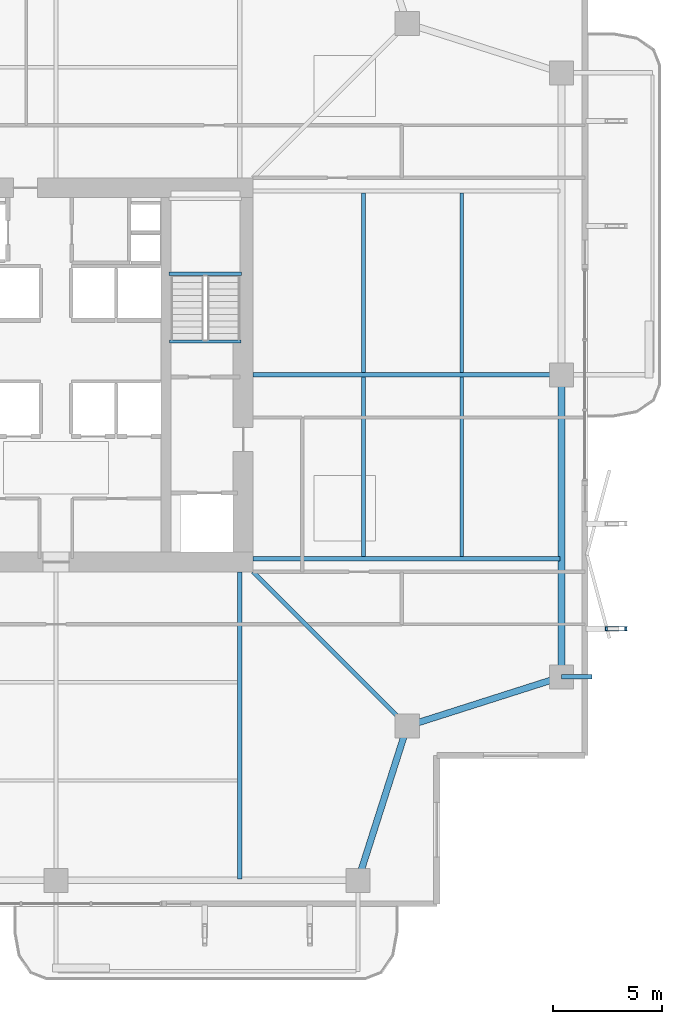
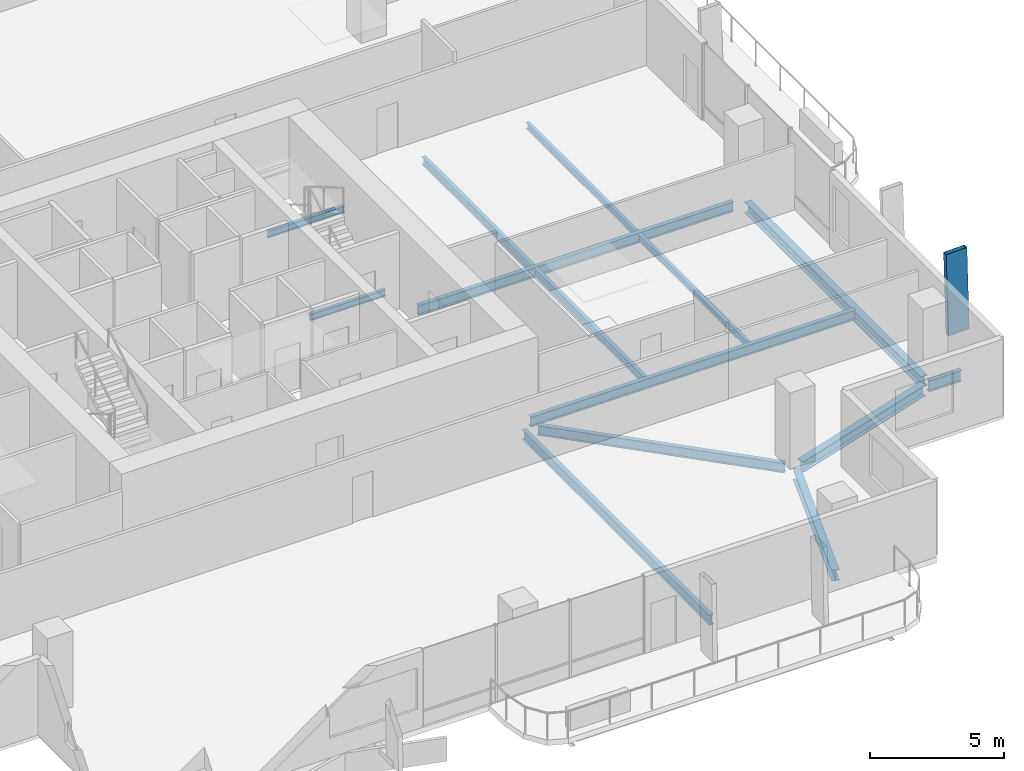
# One storey, part 9 of 23: 14 beams, 1 member.
"""IFC4 building model written with IfcOpenShell, lengths in metres."""

from ifc_helpers import new_model, si_unit, direction, frame, origin, origin_2d, place, context, subcontext, project, spatial, hollow_rectangle, i_section, extrude, material, material_profile, profile_set, type_object, element, save


model = new_model("IFC4")

# Units and contexts
model_context = context("Model", 3, precision=1e-05, world=origin(), true_north=direction((0.0, 1.0)))
body_context = subcontext(model_context, "Body", "Model", "MODEL_VIEW")
ifc_project = project(units=[si_unit("LENGTHUNIT", "METRE"), si_unit("AREAUNIT", "SQUARE_METRE"), si_unit("VOLUMEUNIT", "CUBIC_METRE"), si_unit("PLANEANGLEUNIT", "RADIAN"), si_unit("MASSUNIT", "GRAM", prefix="KILO")], contexts=[model_context])

# Site, building, storey
site_placement = place(None, origin())
site = spatial("IfcSite", under=ifc_project, at=site_placement, CompositionType="ELEMENT")
building_placement = place(site_placement, origin())
building = spatial("IfcBuilding", under=site, at=building_placement, Name="Belovzor Exchange Tower", CompositionType="ELEMENT")
storey_placement = place(building_placement, frame((0.0, 0.0, 157.050048828125)))
storey = spatial("IfcBuildingStorey", under=building, at=storey_placement, Name="L38", CompositionType="ELEMENT", Elevation=157.050048828125)

# Beams
ifc_material_1 = material(Name="Steel S355", Category="steel")
ifc_material_profile_1 = material_profile(ifc_material_1, i_section(OverallWidth=0.199951171875, OverallDepth=0.5, WebThickness=0.01025390625, FlangeThickness=0.01611328125, at=origin_2d()))
ifc_profile_set_1 = profile_set([ifc_material_profile_1], Name="Steel S355")
beam_type_1 = type_object("IfcBeamType", Name="Planted Balcony Cantilever Beam IPE 500", PredefinedType="BEAM", material=ifc_profile_set_1)
beam_1_placement = place(storey_placement, frame((51.89990234375, 15.0, -0.505126953125), z_axis=(1.0, 0.0, 0.0), x_axis=(0.0, 1.0, 0.0)))
element("IfcBeam", 1, at=beam_1_placement, inside=storey, type_object=beam_type_1, Name="BC-500 Planted Balcony Cantilever Beam IPE 500", PredefinedType="BEAM", context=body_context, shape_type="SweptSolid", body=[
    extrude(i_section(OverallWidth=0.199951171875, OverallDepth=0.5, WebThickness=0.01025390625, FlangeThickness=0.01611328125, at=origin_2d()), origin(), (0.0, 0.0, 1.0), 1.400146484375),
])
ifc_material_2 = material(Name="Steel S355", Category="steel")
ifc_material_profile_2 = material_profile(ifc_material_2, i_section(OverallWidth=0.169921875, OverallDepth=0.360107421875, WebThickness=0.008056640625, FlangeThickness=0.0126953125, at=origin_2d()))
ifc_profile_set_2 = profile_set([ifc_material_profile_2], Name="Steel S355")
beam_type_2 = type_object("IfcBeamType", Name="Secondary Infill Floor Joist IPE 360", PredefinedType="BEAM", material=ifc_profile_set_2)
for number, where, z_axis, x_axis, name in (
    (2, (42.84912109375, 20.4951171875, -0.43505859375), (0.0, 1.0, 0.0), (-1.0, 0.0, 0.0), "FJ-360 Secondary Infill Floor Joist IPE 360"),
    (3, (42.84912109375, 28.89501953125, -0.43505859375), (0.0, 1.0, 0.0), (-1.0, 0.0, 0.0), "FJ-360 Secondary Infill Floor Joist IPE 360"),
):
    element("IfcBeam", number, at=place(storey_placement, frame(where, z_axis=z_axis, x_axis=x_axis)), inside=storey, type_object=beam_type_2, Name=name, PredefinedType="BEAM", context=body_context, shape_type="SweptSolid", body=[
        extrude(i_section(OverallWidth=0.169921875, OverallDepth=0.360107421875, WebThickness=0.008056640625, FlangeThickness=0.0126953125, at=origin_2d()), origin(), (0.0, 0.0, 1.0), 8.2099609375),
    ])
ifc_material_3 = material(Name="Steel S355", Category="steel")
ifc_material_profile_3 = material_profile(ifc_material_3, i_section(OverallWidth=0.14990234375, OverallDepth=0.300048828125, WebThickness=0.007080078125, FlangeThickness=0.0107421875, at=origin_2d()))
ifc_profile_set_3 = profile_set([ifc_material_profile_3], Name="Steel S355")
beam_type_3 = type_object("IfcBeamType", Name="Secondary Trim Floor Joist IPE 300", PredefinedType="BEAM", material=ifc_profile_set_3)
beam_2_placement = place(storey_placement, frame((37.280029296875, 33.419921875, 1.52490234375), z_axis=(-1.0, 0.0, 0.0), x_axis=(0.0, -1.0, 0.0)))
element("IfcBeam", 4, at=beam_2_placement, inside=storey, type_object=beam_type_3, Name="FJ-300 Secondary Trim Floor Joist IPE 300", PredefinedType="BEAM", context=body_context, shape_type="SweptSolid", body=[
    extrude(i_section(OverallWidth=0.14990234375, OverallDepth=0.300048828125, WebThickness=0.007080078125, FlangeThickness=0.0107421875, at=origin_2d()), origin(), (0.0, 0.0, 1.0), 3.31005859375),
])
beam_3_placement = place(storey_placement, frame((37.260009765625, 30.320068359375, -0.405029296875), z_axis=(-1.0, 0.0, 0.0), x_axis=(0.0, -1.0, 0.0)))
element("IfcBeam", 5, at=beam_3_placement, inside=storey, type_object=beam_type_3, Name="FJ-300 Secondary Trim Floor Joist IPE 300", PredefinedType="BEAM", context=body_context, shape_type="SweptSolid", body=[
    extrude(i_section(OverallWidth=0.14990234375, OverallDepth=0.300048828125, WebThickness=0.007080078125, FlangeThickness=0.0107421875, at=origin_2d()), origin(), (0.0, 0.0, 1.0), 3.27001953125),
])
for number, where, z_axis, x_axis, name in (
    (6, (47.3369140625, 20.4951171875, -0.405029296875), (0.0, 1.0, 0.0), (-1.0, 0.0, 0.0), "FJ-300 Secondary Trim Floor Joist IPE 300"),
    (7, (47.3369140625, 28.89501953125, -0.405029296875), (0.0, 1.0, 0.0), (-1.0, 0.0, 0.0), "FJ-300 Secondary Trim Floor Joist IPE 300"),
):
    element("IfcBeam", number, at=place(storey_placement, frame(where, z_axis=z_axis, x_axis=x_axis)), inside=storey, type_object=beam_type_3, Name=name, PredefinedType="BEAM", context=body_context, shape_type="SweptSolid", body=[
        extrude(i_section(OverallWidth=0.14990234375, OverallDepth=0.300048828125, WebThickness=0.007080078125, FlangeThickness=0.0107421875, at=origin_2d()), origin(), (0.0, 0.0, 1.0), 8.2099609375),
    ])

# Member
ifc_material_4 = material(Name="Extruded Architectural Terracotta on Steel S355 Carrier", Category="masonry")
ifc_material_profile_4 = material_profile(ifc_material_4, hollow_rectangle(XDim=0.199951171875, YDim=0.89990234375, WallThickness=0.011962890625, at=origin_2d()))
ifc_profile_set_4 = profile_set([ifc_material_profile_4], Name="Extruded Architectural Terracotta on Steel S355 Carrier")
member_type = type_object("IfcMemberType", Name="Sweeping Terracotta Baguette Fin Assembly 1250", PredefinedType="USERDEFINED", material=ifc_profile_set_4)
member_placement = place(storey_placement, frame((54.443115234375, 17.199951171875, -0.255126953125), z_axis=(-0.027203470401, 0.0, 0.999629917118), x_axis=(0.0, -1.0, 0.0)))
element("IfcMember", 8, at=member_placement, inside=storey, type_object=member_type, Name="FIN-TC125 Terracotta Facade Fin L38 E1", ObjectType="FIN", PredefinedType="USERDEFINED", context=body_context, shape_type="SweptSolid", body=[
    extrude(hollow_rectangle(XDim=0.199951171875, YDim=0.89990234375, WallThickness=0.011962890625, at=origin_2d()), origin(), (0.0, 0.0, 1.0), 3.75146484375),
])

# Beams
ifc_material_5 = material(Name="Steel S355", Category="steel")
ifc_material_profile_5 = material_profile(ifc_material_5, i_section(OverallWidth=0.18994140625, OverallDepth=0.449951171875, WebThickness=0.009521484375, FlangeThickness=0.0146484375, at=origin_2d()))
ifc_profile_set_5 = profile_set([ifc_material_profile_5], Name="Steel S355")
beam_type_4 = type_object("IfcBeamType", Name="Zone 2-4 Radial Composite Floor Beam IPE 450", PredefinedType="BEAM", material=ifc_profile_set_5)
beam_4_placement = place(storey_placement, frame((37.199951171875, 19.800048828125, -0.47998046875), z_axis=(0.0, -1.0, 0.0), x_axis=(1.0, 0.0, 0.0)))
element("IfcBeam", 9, at=beam_4_placement, inside=storey, type_object=beam_type_4, Name="FB-450 Zone 2-4 Radial Composite Floor Beam IPE 450", PredefinedType="BEAM", context=body_context, shape_type="SweptSolid", body=[
    extrude(i_section(OverallWidth=0.18994140625, OverallDepth=0.449951171875, WebThickness=0.009521484375, FlangeThickness=0.0146484375, at=origin_2d()), origin(), (0.0, 0.0, 1.0), 14.025146484375),
])
beam_5_placement = place(storey_placement, frame((37.800048828125, 20.39990234375, -0.47998046875), z_axis=(1.0, 0.0, 0.0), x_axis=(0.0, 1.0, 0.0)))
element("IfcBeam", 10, at=beam_5_placement, inside=storey, type_object=beam_type_4, Name="FB-450 Zone 2-4 Radial Composite Floor Beam IPE 450", PredefinedType="BEAM", context=body_context, shape_type="SweptSolid", body=[
    extrude(i_section(OverallWidth=0.18994140625, OverallDepth=0.449951171875, WebThickness=0.009521484375, FlangeThickness=0.0146484375, at=origin_2d()), origin(), (0.0, 0.0, 1.0), 14.02490234375),
])
beam_6_placement = place(storey_placement, frame((37.800048828125, 28.800048828125, -0.47998046875), z_axis=(1.0, 0.0, 0.0), x_axis=(0.0, 1.0, 0.0)))
element("IfcBeam", 11, at=beam_6_placement, inside=storey, type_object=beam_type_4, Name="FB-450 Zone 2-4 Radial Composite Floor Beam IPE 450", PredefinedType="BEAM", context=body_context, shape_type="SweptSolid", body=[
    extrude(i_section(OverallWidth=0.18994140625, OverallDepth=0.449951171875, WebThickness=0.009521484375, FlangeThickness=0.0146484375, at=origin_2d()), origin(), (0.0, 0.0, 1.0), 13.615966796875),
])
beam_7_placement = place(storey_placement, frame((37.800048828125, 19.800048828125, -0.47998046875), z_axis=(0.707094040639, -0.707119521505, 0.0), x_axis=(0.707119521505, 0.707094040639, 0.0)))
element("IfcBeam", 12, at=beam_7_placement, inside=storey, type_object=beam_type_4, Name="FB-450 Zone 2-4 Radial Composite Floor Beam IPE 450", PredefinedType="BEAM", context=body_context, shape_type="SweptSolid", body=[
    extrude(i_section(OverallWidth=0.18994140625, OverallDepth=0.449951171875, WebThickness=0.009521484375, FlangeThickness=0.0146484375, at=origin_2d()), origin(), (0.0, 0.0, 1.0), 9.581298828125),
])
ifc_material_6 = material(Name="Steel S355", Category="steel")
ifc_material_profile_6 = material_profile(ifc_material_6, i_section(OverallWidth=0.300048828125, OverallDepth=0.5, WebThickness=0.014404296875, FlangeThickness=0.028076171875, at=origin_2d()))
ifc_profile_set_6 = profile_set([ifc_material_profile_6], Name="Steel S355")
beam_type_5 = type_object("IfcBeamType", Name="Zone 3 Waist Primary Girder HEB 500", PredefinedType="BEAM", material=ifc_profile_set_6)
for number, where, z_axis, x_axis, name in (
    (13, (42.69189453125, 5.988037109375, -0.505126953125), (0.304044336164, 0.952657882792, 0.0), (-0.952657882792, 0.304044336164, 0.0), "FG-Z3 Zone 3 Waist Primary Girder HEB 500"),
    (14, (45.137939453125, 12.842041015625, -0.505126953125), (0.952671608699, 0.304001325621, 0.0), (-0.304001325621, 0.952671608699, 0.0), "FG-Z3 Zone 3 Waist Primary Girder HEB 500"),
):
    element("IfcBeam", number, at=place(storey_placement, frame(where, z_axis=z_axis, x_axis=x_axis)), inside=storey, type_object=beam_type_5, Name=name, PredefinedType="BEAM", context=body_context, shape_type="SweptSolid", body=[
        extrude(i_section(OverallWidth=0.300048828125, OverallDepth=0.5, WebThickness=0.014404296875, FlangeThickness=0.028076171875, at=origin_2d()), origin(), (0.0, 0.0, 1.0), 6.795654296875),
    ])
beam_8_placement = place(storey_placement, frame((51.89990234375, 15.302978515625, -0.505126953125), z_axis=(0.0, 1.0, 0.0), x_axis=(-1.0, 0.0, 0.0)))
element("IfcBeam", 15, at=beam_8_placement, inside=storey, type_object=beam_type_5, Name="FG-Z3 Zone 3 Waist Primary Girder HEB 500", PredefinedType="BEAM", context=body_context, shape_type="SweptSolid", body=[
    extrude(i_section(OverallWidth=0.300048828125, OverallDepth=0.5, WebThickness=0.014404296875, FlangeThickness=0.028076171875, at=origin_2d()), origin(), (0.0, 0.0, 1.0), 13.195068359375),
])

save(model, "model.ifc")
